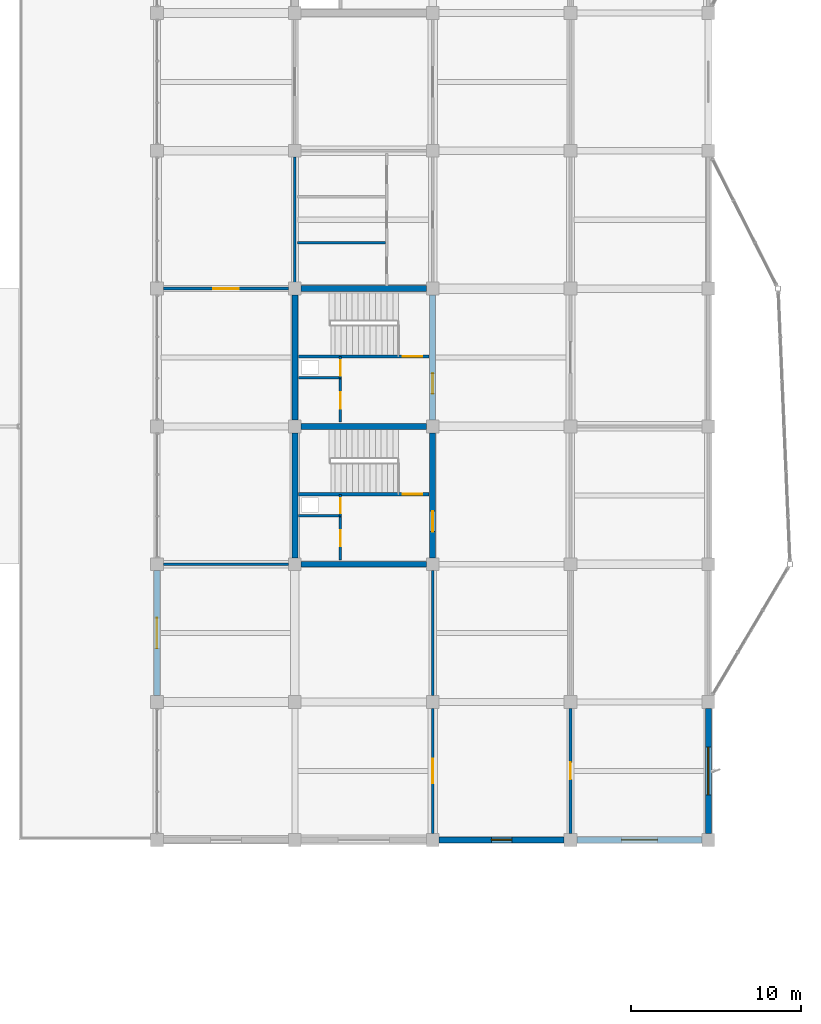
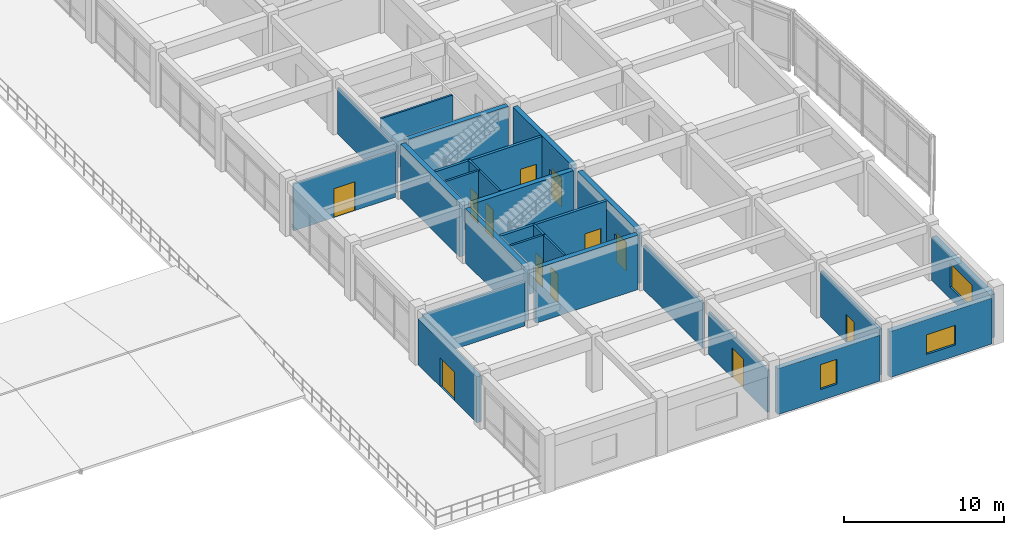
# One storey, part 51 of 70: 26 walls, 12 doors, 3 windows, 15 openings.
"""IFC4 building model written with IfcOpenShell, lengths in metres."""

from ifc_helpers import new_model, si_unit, direction, frame, frame_2d, origin, place, context, subcontext, project, spatial, rectangle, extrude, material, layer, layer_set, type_object, element, fill, save


model = new_model("IFC4")

# Units and contexts
model_context = context("Model", 3, precision=1e-05, world=origin(), true_north=direction((0.0, 1.0)))
body_context = subcontext(model_context, "Body", "Model", "MODEL_VIEW")
ifc_project = project(units=[si_unit("LENGTHUNIT", "METRE"), si_unit("AREAUNIT", "SQUARE_METRE"), si_unit("VOLUMEUNIT", "CUBIC_METRE"), si_unit("PLANEANGLEUNIT", "RADIAN"), si_unit("MASSUNIT", "GRAM", prefix="KILO")], contexts=[model_context])

# Site, building, storey
site_placement = place(None, origin())
site = spatial("IfcSite", under=ifc_project, at=site_placement, CompositionType="ELEMENT")
building_placement = place(site_placement, origin())
building = spatial("IfcBuilding", under=site, at=building_placement, Name="Vaudrelin Polytechnic", CompositionType="ELEMENT")
storey_placement = place(building_placement, frame((0.0, 0.0, 14.110107421875)))
storey = spatial("IfcBuildingStorey", under=building, at=storey_placement, Name="L03", CompositionType="ELEMENT", Elevation=14.110107421875)

# Wall, opening, window
ifc_material_1 = material(Name="Precast concrete 35 MPa with terracotta baguette screen", Category="masonry")
ifc_layer_1 = layer(ifc_material_1, 0.35009765625)
ifc_layer_set_1 = layer_set([ifc_layer_1], Name="Precast concrete 35 MPa with terracotta baguette screen")
wall_type_1 = type_object("IfcWallType", Name="WAL-EW-TERR350", PredefinedType="STANDARD", material=ifc_layer_set_1)
wall_1_placement = place(storey_placement, frame((170.10009765625, 16.572998046875, 0.0), z_axis=(0.0, 0.0, 1.0), x_axis=(0.0, 1.0, 0.0)))
wall_1 = element("IfcWall", 1, at=wall_1_placement, inside=storey, type_object=wall_type_1, Name="Exterior wall L03 E_V4_00", PredefinedType="STANDARD", context=body_context, shape_type="SweptSolid", body=[
    extrude(rectangle(XDim=7.35400390625, YDim=0.35009765625, at=frame_2d((3.677001953125, 0.0))), origin(), (0.0, 0.0, 1.0), 3.31201171875),
])
opening_1_placement = place(wall_1_placement, frame((2.277099609375, 0.0, 0.85009765625)))
opening_1 = element("IfcOpeningElement", 2, at=opening_1_placement, cuts=wall_1, Name="Opening W-L03-E-V4-01", PredefinedType="OPENING", context=body_context, shape_type="SweptSolid", body=[
    extrude(rectangle(XDim=2.800048828125, YDim=1.85009765625, at=frame_2d((1.39990234375, 0.925048828125))), frame((0.0, 0.18505859375, 0.0), z_axis=(0.0, -1.0, 0.0), x_axis=(1.0, 0.0, 0.0)), (0.0, 0.0, 1.0), 0.3701171875),
])
ifc_material_2 = material(Name="Thermally broken aluminium frame with triple low-e glazing", Category="aluminium")
window_type_1 = type_object("IfcWindowType", Name="WIN-WN-48", PartitioningType="SINGLE_PANEL", PredefinedType="WINDOW", material=ifc_material_2)
window_1_placement = place(opening_1_placement, origin())
window_1 = element("IfcWindow", 3, at=window_1_placement, inside=storey, type_object=window_type_1, Name="Facade window L03-E_V4_00", OverallHeight=1.85009765625, OverallWidth=2.800048828125, PartitioningType="SINGLE_PANEL", PredefinedType="WINDOW", context=body_context, shape_type="SweptSolid", body=[
    extrude(rectangle(XDim=2.800048828125, YDim=1.85009765625, at=frame_2d((1.39990234375, 0.925048828125))), frame((0.0, 0.030029296875, 0.0), z_axis=(0.0, -1.0, 0.0), x_axis=(1.0, 0.0, 0.0)), (0.0, 0.0, 1.0), 0.06005859375),
])
fill(opening_1, window_1)

wall_2_placement = place(storey_placement, frame((154.27294921875, 16.199951171875, 0.0), z_axis=(0.0, 0.0, 1.0), x_axis=(1.0, 0.0, 0.0)))
wall_2 = element("IfcWall", 4, at=wall_2_placement, inside=storey, type_object=wall_type_1, Name="Exterior wall L03 S_V4_02", PredefinedType="STANDARD", context=body_context, shape_type="SweptSolid", body=[
    extrude(rectangle(XDim=7.35400390625, YDim=0.35009765625, at=frame_2d((3.677001953125, 0.0))), origin(), (0.0, 0.0, 1.0), 3.511962890625),
])
opening_2_placement = place(wall_2_placement, frame((3.076904296875, 0.0, 0.85009765625)))
opening_2 = element("IfcOpeningElement", 5, at=opening_2_placement, cuts=wall_2, Name="Opening W-L03-S-V4-03", PredefinedType="OPENING", context=body_context, shape_type="SweptSolid", body=[
    extrude(rectangle(XDim=1.199951171875, YDim=1.89990234375, at=frame_2d((0.60009765625, 0.949951171875))), frame((0.0, 0.18505859375, 0.0), z_axis=(0.0, -1.0, 0.0), x_axis=(1.0, 0.0, 0.0)), (0.0, 0.0, 1.0), 0.3701171875),
])
window_type_2 = type_object("IfcWindowType", Name="WIN-WN-04", PartitioningType="SINGLE_PANEL", PredefinedType="WINDOW", material=ifc_material_2)
window_2_placement = place(opening_2_placement, origin())
window_2 = element("IfcWindow", 6, at=window_2_placement, inside=storey, type_object=window_type_2, Name="Facade window L03-S_V4_02", OverallHeight=1.89990234375, OverallWidth=1.199951171875, PartitioningType="SINGLE_PANEL", PredefinedType="WINDOW", context=body_context, shape_type="SweptSolid", body=[
    extrude(rectangle(XDim=1.199951171875, YDim=1.89990234375, at=frame_2d((0.60009765625, 0.949951171875))), frame((0.0, 0.030029296875, 0.0), z_axis=(0.0, -1.0, 0.0), x_axis=(1.0, 0.0, 0.0)), (0.0, 0.0, 1.0), 0.06005859375),
])
fill(opening_2, window_2)

wall_3_placement = place(storey_placement, frame((162.373046875, 16.199951171875, 0.0), z_axis=(0.0, 0.0, 1.0), x_axis=(1.0, 0.0, 0.0)))
wall_3 = element("IfcWall", 7, at=wall_3_placement, inside=storey, type_object=wall_type_1, Name="Exterior wall L03 S_V4_03", PredefinedType="STANDARD", context=body_context, shape_type="SweptSolid", body=[
    extrude(rectangle(XDim=7.35400390625, YDim=0.35009765625, at=frame_2d((3.677001953125, 0.0))), origin(), (0.0, 0.0, 1.0), 3.511962890625),
])
opening_3_placement = place(wall_3_placement, frame((2.626953125, 0.0, 0.85009765625)))
opening_3 = element("IfcOpeningElement", 8, at=opening_3_placement, cuts=wall_3, Name="Opening W-L03-S-V4-04", PredefinedType="OPENING", context=body_context, shape_type="SweptSolid", body=[
    extrude(rectangle(XDim=2.10009765625, YDim=1.5, at=frame_2d((1.050048828125, 0.75))), frame((0.0, 0.18505859375, 0.0), z_axis=(0.0, -1.0, 0.0), x_axis=(1.0, 0.0, 0.0)), (0.0, 0.0, 1.0), 0.3701171875),
])
window_type_3 = type_object("IfcWindowType", Name="WIN-WN-05", PartitioningType="SINGLE_PANEL", PredefinedType="WINDOW", material=ifc_material_2)
window_3_placement = place(opening_3_placement, origin())
window_3 = element("IfcWindow", 9, at=window_3_placement, inside=storey, type_object=window_type_3, Name="Facade window L03-S_V4_03", OverallHeight=1.5, OverallWidth=2.10009765625, PartitioningType="SINGLE_PANEL", PredefinedType="WINDOW", context=body_context, shape_type="SweptSolid", body=[
    extrude(rectangle(XDim=2.10009765625, YDim=1.5, at=frame_2d((1.050048828125, 0.75))), frame((0.0, 0.030029296875, 0.0), z_axis=(0.0, -1.0, 0.0), x_axis=(1.0, 0.0, 0.0)), (0.0, 0.0, 1.0), 0.06005859375),
])
fill(opening_3, window_3)

# Wall, opening, door
ifc_material_3 = material(Name="Precast concrete 35 MPa with standing-seam zinc rainscreen", Category="concrete")
ifc_layer_2 = layer(ifc_material_3, 0.360107421875)
ifc_layer_set_2 = layer_set([ifc_layer_2], Name="Precast concrete 35 MPa with standing-seam zinc rainscreen")
wall_type_2 = type_object("IfcWallType", Name="WAL-EW-ZINC360", PredefinedType="STANDARD", material=ifc_layer_set_2)
wall_4_placement = place(storey_placement, frame((137.699951171875, 24.673095703125, 0.0), z_axis=(0.0, 0.0, 1.0), x_axis=(0.0, 1.0, 0.0)))
wall_4 = element("IfcWall", 10, at=wall_4_placement, inside=storey, type_object=wall_type_2, Name="Exterior wall L03 W_V4_01", PredefinedType="STANDARD", context=body_context, shape_type="SweptSolid", body=[
    extrude(rectangle(XDim=7.35400390625, YDim=0.360107421875, at=frame_2d((3.677001953125, 0.0))), origin(), (0.0, 0.0, 1.0), 3.511962890625),
])
opening_4_placement = place(wall_4_placement, frame((2.777099609375, 0.0, 0.0)))
opening_4 = element("IfcOpeningElement", 11, at=opening_4_placement, cuts=wall_4, Name="Opening TD-03-01", PredefinedType="OPENING", context=body_context, shape_type="SweptSolid", body=[
    extrude(rectangle(XDim=1.800048828125, YDim=2.199951171875, at=frame_2d((0.89990234375, 1.10009765625))), frame((0.0, 0.18994140625, 0.0), z_axis=(0.0, -1.0, 0.0), x_axis=(1.0, 0.0, 0.0)), (0.0, 0.0, 1.0), 0.380126953125),
])
ifc_material_4 = material(Name="Thermally broken anodised aluminium AA 6063-T6", Category="aluminium")
door_type_1 = type_object("IfcDoorType", Name="DOR-ED-03", OperationType="DOUBLE_SWING_LEFT", PredefinedType="DOOR", material=ifc_material_4)
door_1_placement = place(opening_4_placement, origin())
door_1 = element("IfcDoor", 12, at=door_1_placement, inside=storey, type_object=door_type_1, Name="Exterior exit door TD-03-01", OperationType="DOUBLE_SWING_LEFT", OverallHeight=2.199951171875, OverallWidth=1.800048828125, PredefinedType="DOOR", context=body_context, shape_type="SweptSolid", body=[
    extrude(rectangle(XDim=1.800048828125, YDim=2.199951171875, at=frame_2d((0.89990234375, 1.10009765625))), frame((0.0, 0.02490234375, 0.0), z_axis=(0.0, -1.0, 0.0), x_axis=(1.0, 0.0, 0.0)), (0.0, 0.0, 1.0), 0.050048828125),
])
fill(opening_4, door_1)

ifc_material_5 = material(Name="Acoustic double-stud gypsum & mineral-wool partition", Category="gypsum")
ifc_layer_3 = layer(ifc_material_5, 0.179931640625)
ifc_layer_set_3 = layer_set([ifc_layer_3], Name="Acoustic double-stud gypsum & mineral-wool partition")
wall_type_3 = type_object("IfcWallType", Name="WAL-PW-AC180", PredefinedType="PARTITIONING", material=ifc_layer_set_3)
wall_5_placement = place(storey_placement, frame((162.0, 16.572998046875, 0.0), z_axis=(0.0, 0.0, 1.0), x_axis=(0.0, 1.0, 0.0)))
wall_5 = element("IfcWall", 13, at=wall_5_placement, inside=storey, type_object=wall_type_3, Name="Partition L03-015 W", PredefinedType="PARTITIONING", context=body_context, shape_type="SweptSolid", body=[
    extrude(rectangle(XDim=7.35400390625, YDim=0.179931640625, at=frame_2d((3.677001953125, 0.0))), origin(), (0.0, 0.0, 1.0), 3.511962890625),
])
opening_5_placement = place(wall_5_placement, frame((3.177001953125, 0.0, 0.0)))
opening_5 = element("IfcOpeningElement", 14, at=opening_5_placement, cuts=wall_5, Name="Opening D-L03-507", PredefinedType="OPENING", context=body_context, shape_type="SweptSolid", body=[
    extrude(rectangle(XDim=1.0, YDim=2.14990234375, at=frame_2d((0.5, 1.074951171875))), frame((0.0, 0.10009765625, 0.0), z_axis=(0.0, -1.0, 0.0), x_axis=(1.0, 0.0, 0.0)), (0.0, 0.0, 1.0), 0.199951171875),
])
ifc_material_6 = material(Name="Solid-core birch veneer acoustic leaf", Category="wood")
door_type_2 = type_object("IfcDoorType", Name="DOR-ID-SEM1", OperationType="NOTDEFINED", PredefinedType="DOOR", material=ifc_material_6)
door_2_placement = place(opening_5_placement, origin())
door_2 = element("IfcDoor", 15, at=door_2_placement, inside=storey, type_object=door_type_2, Name="Seminar Room 301 door L03-015", OperationType="SINGLE_SWING_LEFT", OverallHeight=2.14990234375, OverallWidth=1.0, PredefinedType="DOOR", context=body_context, shape_type="SweptSolid", body=[
    extrude(rectangle(XDim=1.0, YDim=2.14990234375, at=frame_2d((0.5, 1.074951171875))), frame((0.0, 0.02490234375, 0.0), z_axis=(0.0, -1.0, 0.0), x_axis=(1.0, 0.0, 0.0)), (0.0, 0.0, 1.0), 0.050048828125),
])
fill(opening_5, door_2)

ifc_material_7 = material(Name="Fire-rated steel-stud gypsum compartment wall", Category="steel")
ifc_layer_4 = layer(ifc_material_7, 0.14990234375)
ifc_layer_set_4 = layer_set([ifc_layer_4], Name="Fire-rated steel-stud gypsum compartment wall")
wall_type_4 = type_object("IfcWallType", Name="WAL-PW-FIRE60", PredefinedType="PARTITIONING", material=ifc_layer_set_4)
wall_6_placement = place(storey_placement, frame((148.47998046875, 35.25, 0.0), z_axis=(0.0, 0.0, 1.0), x_axis=(0.0, 1.0, 0.0)))
wall_6 = element("IfcWall", 16, at=wall_6_placement, inside=storey, type_object=wall_type_4, Name="Core C8 riser enclosure wall L03", PredefinedType="PARTITIONING", context=body_context, shape_type="SweptSolid", body=[
    extrude(rectangle(XDim=1.260009765625, YDim=0.14990234375, at=frame_2d((0.6298828125, 0.0))), origin(), (0.0, 0.0, 1.0), 4.161865234375),
])
opening_6_placement = place(wall_6_placement, frame((0.139892578125, 0.0, 0.0)))
opening_6 = element("IfcOpeningElement", 17, at=opening_6_placement, cuts=wall_6, Name="Opening D-L03-156", PredefinedType="OPENING", context=body_context, shape_type="SweptSolid", body=[
    extrude(rectangle(XDim=0.89990234375, YDim=2.14990234375, at=frame_2d((0.449951171875, 1.074951171875))), frame((0.0, 0.0849609375, 0.0), z_axis=(0.0, -1.0, 0.0), x_axis=(1.0, 0.0, 0.0)), (0.0, 0.0, 1.0), 0.169921875),
])
ifc_material_8 = material(Name="Pressed galvanised steel acoustic leaf", Category="steel")
door_type_3 = type_object("IfcDoorType", Name="DOR-ID-RSR1", OperationType="NOTDEFINED", PredefinedType="DOOR", material=ifc_material_8)
door_3_placement = place(opening_6_placement, origin())
door_3 = element("IfcDoor", 18, at=door_3_placement, inside=storey, type_object=door_type_3, Name="Core C8 riser access door L03", OperationType="SINGLE_SWING_RIGHT", OverallHeight=2.14990234375, OverallWidth=0.89990234375, PredefinedType="DOOR", context=body_context, shape_type="SweptSolid", body=[
    extrude(rectangle(XDim=0.89990234375, YDim=2.14990234375, at=frame_2d((0.449951171875, 1.074951171875))), frame((0.0, 0.02490234375, 0.0), z_axis=(0.0, -1.0, 0.0), x_axis=(1.0, 0.0, 0.0)), (0.0, 0.0, 1.0), 0.050048828125),
])
fill(opening_6, door_3)

# Wall
wall_7_placement = place(storey_placement, frame((146.02001953125, 35.25, 0.0), z_axis=(0.0, 0.0, 1.0), x_axis=(1.0, 0.0, 0.0)))
element("IfcWall", 19, at=wall_7_placement, inside=storey, type_object=wall_type_4, Name="Core C8 riser south fire wall L03", PredefinedType="PARTITIONING", context=body_context, shape_type="SweptSolid", body=[
    extrude(rectangle(XDim=2.530029296875, YDim=0.14990234375, at=frame_2d((1.26513671875, 0.0))), origin(), (0.0, 0.0, 1.0), 4.161865234375),
])

# Wall, opening, door
wall_8_placement = place(storey_placement, frame((148.47998046875, 32.64990234375, 0.0), z_axis=(0.0, 0.0, 1.0), x_axis=(0.0, 1.0, 0.0)))
wall_8 = element("IfcWall", 20, at=wall_8_placement, inside=storey, type_object=wall_type_4, Name="Core C8 custodial enclosure wall L03", PredefinedType="PARTITIONING", context=body_context, shape_type="SweptSolid", body=[
    extrude(rectangle(XDim=2.60009765625, YDim=0.14990234375, at=frame_2d((1.300048828125, 0.0))), origin(), (0.0, 0.0, 1.0), 4.161865234375),
])
opening_7_placement = place(wall_8_placement, frame((0.800048828125, 0.0, 0.0)))
opening_7 = element("IfcOpeningElement", 21, at=opening_7_placement, cuts=wall_8, Name="Opening D-L03-157", PredefinedType="OPENING", context=body_context, shape_type="SweptSolid", body=[
    extrude(rectangle(XDim=0.949951171875, YDim=2.14990234375, at=frame_2d((0.47509765625, 1.074951171875))), frame((0.0, 0.0849609375, 0.0), z_axis=(0.0, -1.0, 0.0), x_axis=(1.0, 0.0, 0.0)), (0.0, 0.0, 1.0), 0.169921875),
])
door_type_4 = type_object("IfcDoorType", Name="DOR-ID-STR1", OperationType="NOTDEFINED", PredefinedType="DOOR", material=ifc_material_8)
door_4_placement = place(opening_7_placement, origin())
door_4 = element("IfcDoor", 22, at=door_4_placement, inside=storey, type_object=door_type_4, Name="Core C8 custodial door L03", OperationType="SINGLE_SWING_RIGHT", OverallHeight=2.14990234375, OverallWidth=0.949951171875, PredefinedType="DOOR", context=body_context, shape_type="SweptSolid", body=[
    extrude(rectangle(XDim=0.949951171875, YDim=2.14990234375, at=frame_2d((0.47509765625, 1.074951171875))), frame((0.0, 0.02490234375, 0.0), z_axis=(0.0, -1.0, 0.0), x_axis=(1.0, 0.0, 0.0)), (0.0, 0.0, 1.0), 0.050048828125),
])
fill(opening_7, door_4)

wall_9_placement = place(storey_placement, frame((148.47998046875, 43.35009765625, 0.0), z_axis=(0.0, 0.0, 1.0), x_axis=(0.0, 1.0, 0.0)))
wall_9 = element("IfcWall", 23, at=wall_9_placement, inside=storey, type_object=wall_type_4, Name="Core C12 riser enclosure wall L03", PredefinedType="PARTITIONING", context=body_context, shape_type="SweptSolid", body=[
    extrude(rectangle(XDim=1.260009765625, YDim=0.14990234375, at=frame_2d((0.6298828125, 0.0))), origin(), (0.0, 0.0, 1.0), 4.161865234375),
])
opening_8_placement = place(wall_9_placement, frame((0.139892578125, 0.0, 0.0)))
opening_8 = element("IfcOpeningElement", 24, at=opening_8_placement, cuts=wall_9, Name="Opening D-L03-279", PredefinedType="OPENING", context=body_context, shape_type="SweptSolid", body=[
    extrude(rectangle(XDim=0.89990234375, YDim=2.14990234375, at=frame_2d((0.449951171875, 1.074951171875))), frame((0.0, 0.0849609375, 0.0), z_axis=(0.0, -1.0, 0.0), x_axis=(1.0, 0.0, 0.0)), (0.0, 0.0, 1.0), 0.169921875),
])
door_5_placement = place(opening_8_placement, origin())
door_5 = element("IfcDoor", 25, at=door_5_placement, inside=storey, type_object=door_type_3, Name="Core C12 riser access door L03", OperationType="SINGLE_SWING_RIGHT", OverallHeight=2.14990234375, OverallWidth=0.89990234375, PredefinedType="DOOR", context=body_context, shape_type="SweptSolid", body=[
    extrude(rectangle(XDim=0.89990234375, YDim=2.14990234375, at=frame_2d((0.449951171875, 1.074951171875))), frame((0.0, 0.02490234375, 0.0), z_axis=(0.0, -1.0, 0.0), x_axis=(1.0, 0.0, 0.0)), (0.0, 0.0, 1.0), 0.050048828125),
])
fill(opening_8, door_5)

# Wall
wall_10_placement = place(storey_placement, frame((146.02001953125, 43.35009765625, 0.0), z_axis=(0.0, 0.0, 1.0), x_axis=(1.0, 0.0, 0.0)))
element("IfcWall", 26, at=wall_10_placement, inside=storey, type_object=wall_type_4, Name="Core C12 riser south fire wall L03", PredefinedType="PARTITIONING", context=body_context, shape_type="SweptSolid", body=[
    extrude(rectangle(XDim=2.530029296875, YDim=0.14990234375, at=frame_2d((1.26513671875, 0.0))), origin(), (0.0, 0.0, 1.0), 4.161865234375),
])

# Wall, opening, door
wall_11_placement = place(storey_placement, frame((148.47998046875, 40.75, 0.0), z_axis=(0.0, 0.0, 1.0), x_axis=(0.0, 1.0, 0.0)))
wall_11 = element("IfcWall", 27, at=wall_11_placement, inside=storey, type_object=wall_type_4, Name="Core C12 custodial enclosure wall L03", PredefinedType="PARTITIONING", context=body_context, shape_type="SweptSolid", body=[
    extrude(rectangle(XDim=2.60009765625, YDim=0.14990234375, at=frame_2d((1.300048828125, 0.0))), origin(), (0.0, 0.0, 1.0), 4.161865234375),
])
opening_9_placement = place(wall_11_placement, frame((0.800048828125, 0.0, 0.0)))
opening_9 = element("IfcOpeningElement", 28, at=opening_9_placement, cuts=wall_11, Name="Opening D-L03-280", PredefinedType="OPENING", context=body_context, shape_type="SweptSolid", body=[
    extrude(rectangle(XDim=0.949951171875, YDim=2.14990234375, at=frame_2d((0.47509765625, 1.074951171875))), frame((0.0, 0.0849609375, 0.0), z_axis=(0.0, -1.0, 0.0), x_axis=(1.0, 0.0, 0.0)), (0.0, 0.0, 1.0), 0.169921875),
])
door_6_placement = place(opening_9_placement, origin())
door_6 = element("IfcDoor", 29, at=door_6_placement, inside=storey, type_object=door_type_4, Name="Core C12 custodial door L03", OperationType="SINGLE_SWING_RIGHT", OverallHeight=2.14990234375, OverallWidth=0.949951171875, PredefinedType="DOOR", context=body_context, shape_type="SweptSolid", body=[
    extrude(rectangle(XDim=0.949951171875, YDim=2.14990234375, at=frame_2d((0.47509765625, 1.074951171875))), frame((0.0, 0.02490234375, 0.0), z_axis=(0.0, -1.0, 0.0), x_axis=(1.0, 0.0, 0.0)), (0.0, 0.0, 1.0), 0.050048828125),
])
fill(opening_9, door_6)

ifc_material_9 = material(Name="Moisture- and chemical-resistant laboratory partition", Category="gypsum")
ifc_layer_5 = layer(ifc_material_9, 0.159912109375)
ifc_layer_set_5 = layer_set([ifc_layer_5], Name="Moisture- and chemical-resistant laboratory partition")
wall_type_5 = type_object("IfcWallType", Name="WAL-PW-LAB160", PredefinedType="PARTITIONING", material=ifc_layer_set_5)
wall_12_placement = place(storey_placement, frame((153.89990234375, 16.572998046875, 0.0), z_axis=(0.0, 0.0, 1.0), x_axis=(0.0, 1.0, 0.0)))
wall_12 = element("IfcWall", 30, at=wall_12_placement, inside=storey, type_object=wall_type_5, Name="Partition L03-008 E", PredefinedType="PARTITIONING", context=body_context, shape_type="SweptSolid", body=[
    extrude(rectangle(XDim=7.35400390625, YDim=0.159912109375, at=frame_2d((3.677001953125, 0.0))), origin(), (0.0, 0.0, 1.0), 3.2119140625),
])
opening_10_placement = place(wall_12_placement, frame((2.967041015625, 0.0, 0.0)))
opening_10 = element("IfcOpeningElement", 31, at=opening_10_placement, cuts=wall_12, Name="Opening D-L03-501", PredefinedType="OPENING", context=body_context, shape_type="SweptSolid", body=[
    extrude(rectangle(XDim=1.419921875, YDim=2.25, at=frame_2d((0.7099609375, 1.125))), frame((0.0, 0.08984375, 0.0), z_axis=(0.0, -1.0, 0.0), x_axis=(1.0, 0.0, 0.0)), (0.0, 0.0, 1.0), 0.179931640625),
])
door_type_5 = type_object("IfcDoorType", Name="DOR-ID-LAB4", OperationType="NOTDEFINED", PredefinedType="DOOR", material=ifc_material_8)
door_7_placement = place(opening_10_placement, origin())
door_7 = element("IfcDoor", 32, at=door_7_placement, inside=storey, type_object=door_type_5, Name="Microelectronics Teaching Laboratory door L03-008", OperationType="DOUBLE_SWING_LEFT", OverallHeight=2.25, OverallWidth=1.419921875, PredefinedType="DOOR", context=body_context, shape_type="SweptSolid", body=[
    extrude(rectangle(XDim=1.419921875, YDim=2.25, at=frame_2d((0.7099609375, 1.125))), frame((0.0, 0.02490234375, 0.0), z_axis=(0.0, -1.0, 0.0), x_axis=(1.0, 0.0, 0.0)), (0.0, 0.0, 1.0), 0.050048828125),
])
fill(opening_10, door_7)

# Walls
for number, where, z_axis, x_axis, name in (
    (33, (153.89990234375, 24.673095703125, 0.0), (0.0, 0.0, 1.0), (0.0, 1.0, 0.0), "Partition L03-008 E"),
    (34, (138.072998046875, 32.39990234375, 0.0), (0.0, 0.0, 1.0), (1.0, 0.0, 0.0), "Partition L03-008 N"),
):
    element("IfcWall", number, at=place(storey_placement, frame(where, z_axis=z_axis, x_axis=x_axis)), inside=storey, type_object=wall_type_5, Name=name, PredefinedType="PARTITIONING", context=body_context, shape_type="SweptSolid", body=[
        extrude(rectangle(XDim=7.35400390625, YDim=0.159912109375, at=frame_2d((3.677001953125, 0.0))), origin(), (0.0, 0.0, 1.0), 3.411865234375),
    ])

# Wall, opening, door
wall_13_placement = place(storey_placement, frame((138.072998046875, 48.60009765625, 0.0), z_axis=(0.0, 0.0, 1.0), x_axis=(1.0, 0.0, 0.0)))
wall_13 = element("IfcWall", 35, at=wall_13_placement, inside=storey, type_object=wall_type_5, Name="Partition L03-009 N", PredefinedType="PARTITIONING", context=body_context, shape_type="SweptSolid", body=[
    extrude(rectangle(XDim=7.35400390625, YDim=0.159912109375, at=frame_2d((3.677001953125, 0.0))), origin(), (0.0, 0.0, 1.0), 3.56201171875),
])
opening_11_placement = place(wall_13_placement, frame((2.927001953125, 0.0, 0.0)))
opening_11 = element("IfcOpeningElement", 36, at=opening_11_placement, cuts=wall_13, Name="Opening D-L03-502", PredefinedType="OPENING", context=body_context, shape_type="SweptSolid", body=[
    extrude(rectangle(XDim=1.5, YDim=2.199951171875, at=frame_2d((0.75, 1.10009765625))), frame((0.0, 0.08984375, 0.0), z_axis=(0.0, -1.0, 0.0), x_axis=(1.0, 0.0, 0.0)), (0.0, 0.0, 1.0), 0.179931640625),
])
door_type_6 = type_object("IfcDoorType", Name="DOR-ID-LAB1", OperationType="NOTDEFINED", PredefinedType="DOOR", material=ifc_material_8)
door_8_placement = place(opening_11_placement, origin())
door_8 = element("IfcDoor", 37, at=door_8_placement, inside=storey, type_object=door_type_6, Name="VLSI Bench Laboratory door L03-009", OperationType="DOUBLE_SWING_LEFT", OverallHeight=2.199951171875, OverallWidth=1.5, PredefinedType="DOOR", context=body_context, shape_type="SweptSolid", body=[
    extrude(rectangle(XDim=1.5, YDim=2.199951171875, at=frame_2d((0.75, 1.10009765625))), frame((0.0, 0.02490234375, 0.0), z_axis=(0.0, -1.0, 0.0), x_axis=(1.0, 0.0, 0.0)), (0.0, 0.0, 1.0), 0.050048828125),
])
fill(opening_11, door_8)

# Walls
ifc_material_10 = material(Name="Cement-board tiled wet-wall washroom partition", Category="gypsum")
ifc_layer_6 = layer(ifc_material_10, 0.139892578125)
ifc_layer_set_6 = layer_set([ifc_layer_6], Name="Cement-board tiled wet-wall washroom partition")
wall_type_6 = type_object("IfcWallType", Name="WAL-PW-WC140", PredefinedType="PARTITIONING", material=ifc_layer_set_6)
wall_14_placement = place(storey_placement, frame((145.800048828125, 48.972900390625, 0.0), z_axis=(0.0, 0.0, 1.0), x_axis=(0.0, 1.0, 0.0)))
element("IfcWall", 38, at=wall_14_placement, inside=storey, type_object=wall_type_6, Name="Washroom enclosure wall L03-18-6-W", PredefinedType="PARTITIONING", context=body_context, shape_type="SweptSolid", body=[
    extrude(rectangle(XDim=7.35400390625, YDim=0.139892578125, at=frame_2d((3.677001953125, 0.0))), origin(), (0.0, 0.0, 1.0), 3.510009765625),
])
wall_15_placement = place(storey_placement, frame((145.949951171875, 51.300048828125, 0.0), z_axis=(0.0, 0.0, 1.0), x_axis=(1.0, 0.0, 0.0)))
element("IfcWall", 39, at=wall_15_placement, inside=storey, type_object=wall_type_6, Name="Washroom separation wall L03-18-6-1", PredefinedType="PARTITIONING", context=body_context, shape_type="SweptSolid", body=[
    extrude(rectangle(XDim=5.179931640625, YDim=0.139892578125, at=frame_2d((2.58984375, 0.0))), origin(), (0.0, 0.0, 1.0), 4.161865234375),
])

# Wall, opening, door
ifc_material_11 = material(Name="Concrete 40 MPa", Category="concrete")
ifc_layer_7 = layer(ifc_material_11, 0.199951171875)
ifc_layer_set_7 = layer_set([ifc_layer_7], Name="Concrete 40 MPa")
wall_type_7 = type_object("IfcWallType", Name="WAL-SW-CORE200", PredefinedType="SHEAR", material=ifc_layer_set_7)
wall_16_placement = place(storey_placement, frame((146.02001953125, 36.510009765625, 0.0), z_axis=(0.0, 0.0, 1.0), x_axis=(1.0, 0.0, 0.0)))
wall_16 = element("IfcWall", 40, at=wall_16_placement, inside=storey, type_object=wall_type_7, Name="Core C8 stair enclosure wall L03", PredefinedType="SHEAR", context=body_context, shape_type="SweptSolid", body=[
    extrude(rectangle(XDim=7.659912109375, YDim=0.199951171875, at=frame_2d((3.830078125, 0.0))), origin(), (0.0, 0.0, 1.0), 4.161865234375),
])
opening_12_placement = place(wall_16_placement, frame((6.110107421875, 0.0, 0.0)))
opening_12 = element("IfcOpeningElement", 41, at=opening_12_placement, cuts=wall_16, Name="Opening D-L03-155", PredefinedType="OPENING", context=body_context, shape_type="SweptSolid", body=[
    extrude(rectangle(XDim=1.14990234375, YDim=2.199951171875, at=frame_2d((0.574951171875, 1.10009765625))), frame((0.0, 0.10986328125, 0.0), z_axis=(0.0, -1.0, 0.0), x_axis=(1.0, 0.0, 0.0)), (0.0, 0.0, 1.0), 0.219970703125),
])
door_type_7 = type_object("IfcDoorType", Name="DOR-ID-ST1", OperationType="NOTDEFINED", PredefinedType="DOOR", material=ifc_material_8)
door_9_placement = place(opening_12_placement, origin())
door_9 = element("IfcDoor", 42, at=door_9_placement, inside=storey, type_object=door_type_7, Name="Core C8 exit stair door L03", OperationType="SINGLE_SWING_LEFT", OverallHeight=2.199951171875, OverallWidth=1.14990234375, PredefinedType="DOOR", context=body_context, shape_type="SweptSolid", body=[
    extrude(rectangle(XDim=1.14990234375, YDim=2.199951171875, at=frame_2d((0.574951171875, 1.10009765625))), frame((0.0, 0.02490234375, 0.0), z_axis=(0.0, -1.0, 0.0), x_axis=(1.0, 0.0, 0.0)), (0.0, 0.0, 1.0), 0.050048828125),
])
fill(opening_12, door_9)

wall_17_placement = place(storey_placement, frame((146.02001953125, 44.610107421875, 0.0), z_axis=(0.0, 0.0, 1.0), x_axis=(1.0, 0.0, 0.0)))
wall_17 = element("IfcWall", 43, at=wall_17_placement, inside=storey, type_object=wall_type_7, Name="Core C12 stair enclosure wall L03", PredefinedType="SHEAR", context=body_context, shape_type="SweptSolid", body=[
    extrude(rectangle(XDim=7.659912109375, YDim=0.199951171875, at=frame_2d((3.830078125, 0.0))), origin(), (0.0, 0.0, 1.0), 4.161865234375),
])
opening_13_placement = place(wall_17_placement, frame((6.110107421875, 0.0, 0.0)))
opening_13 = element("IfcOpeningElement", 44, at=opening_13_placement, cuts=wall_17, Name="Opening D-L03-278", PredefinedType="OPENING", context=body_context, shape_type="SweptSolid", body=[
    extrude(rectangle(XDim=1.14990234375, YDim=2.199951171875, at=frame_2d((0.574951171875, 1.10009765625))), frame((0.0, 0.10986328125, 0.0), z_axis=(0.0, -1.0, 0.0), x_axis=(1.0, 0.0, 0.0)), (0.0, 0.0, 1.0), 0.219970703125),
])
door_10_placement = place(opening_13_placement, origin())
door_10 = element("IfcDoor", 45, at=door_10_placement, inside=storey, type_object=door_type_7, Name="Core C12 exit stair door L03", OperationType="SINGLE_SWING_LEFT", OverallHeight=2.199951171875, OverallWidth=1.14990234375, PredefinedType="DOOR", context=body_context, shape_type="SweptSolid", body=[
    extrude(rectangle(XDim=1.14990234375, YDim=2.199951171875, at=frame_2d((0.574951171875, 1.10009765625))), frame((0.0, 0.02490234375, 0.0), z_axis=(0.0, -1.0, 0.0), x_axis=(1.0, 0.0, 0.0)), (0.0, 0.0, 1.0), 0.050048828125),
])
fill(opening_13, door_10)

# Walls
ifc_material_12 = material(Name="Concrete 50 MPa", Category="concrete")
ifc_layer_8 = layer(ifc_material_12, 0.35009765625)
ifc_layer_set_8 = layer_set([ifc_layer_8], Name="Concrete 50 MPa")
wall_type_8 = type_object("IfcWallType", Name="WAL-SW-CORE350", PredefinedType="SHEAR", material=ifc_layer_set_8)
for number, where, z_axis, x_axis, name in (
    (46, (146.173095703125, 40.5, 0.0), (0.0, 0.0, 1.0), (1.0, 0.0, 0.0), "Core C8 N shear wall L03"),
    (47, (145.800048828125, 32.77294921875, 0.0), (0.0, 0.0, 1.0), (0.0, 1.0, 0.0), "Core C8 W shear wall L03"),
):
    element("IfcWall", number, at=place(storey_placement, frame(where, z_axis=z_axis, x_axis=x_axis)), inside=storey, type_object=wall_type_8, Name=name, PredefinedType="SHEAR", context=body_context, shape_type="SweptSolid", body=[
        extrude(rectangle(XDim=7.35400390625, YDim=0.35009765625, at=frame_2d((3.677001953125, 0.0))), origin(), (0.0, 0.0, 1.0), 4.161865234375),
    ])

# Wall, opening, door
wall_18_placement = place(storey_placement, frame((153.89990234375, 32.77294921875, 0.0), z_axis=(0.0, 0.0, 1.0), x_axis=(0.0, 1.0, 0.0)))
wall_18 = element("IfcWall", 48, at=wall_18_placement, inside=storey, type_object=wall_type_8, Name="Core C8 E shear wall L03", PredefinedType="SHEAR", context=body_context, shape_type="SweptSolid", body=[
    extrude(rectangle(XDim=7.35400390625, YDim=0.35009765625, at=frame_2d((3.677001953125, 0.0))), origin(), (0.0, 0.0, 1.0), 4.161865234375),
])
opening_14_placement = place(wall_18_placement, frame((1.550048828125, 0.0, 0.0)))
opening_14 = element("IfcOpeningElement", 49, at=opening_14_placement, cuts=wall_18, Name="Opening D-L03-154", PredefinedType="OPENING", context=body_context, shape_type="SweptSolid", body=[
    extrude(rectangle(XDim=1.199951171875, YDim=2.199951171875, at=frame_2d((0.60009765625, 1.10009765625))), frame((0.0, 0.18505859375, 0.0), z_axis=(0.0, -1.0, 0.0), x_axis=(1.0, 0.0, 0.0)), (0.0, 0.0, 1.0), 0.3701171875),
])
door_type_8 = type_object("IfcDoorType", Name="DOR-ID-LB1", OperationType="NOTDEFINED", PredefinedType="DOOR", material=ifc_material_8)
door_11_placement = place(opening_14_placement, origin())
door_11 = element("IfcDoor", 50, at=door_11_placement, inside=storey, type_object=door_type_8, Name="Core C8 lobby fire door L03", OperationType="SINGLE_SWING_RIGHT", OverallHeight=2.199951171875, OverallWidth=1.199951171875, PredefinedType="DOOR", context=body_context, shape_type="SweptSolid", body=[
    extrude(rectangle(XDim=1.199951171875, YDim=2.199951171875, at=frame_2d((0.60009765625, 1.10009765625))), frame((0.0, 0.02490234375, 0.0), z_axis=(0.0, -1.0, 0.0), x_axis=(1.0, 0.0, 0.0)), (0.0, 0.0, 1.0), 0.050048828125),
])
fill(opening_14, door_11)

# Walls
for number, where, z_axis, x_axis, name in (
    (51, (146.173095703125, 32.39990234375, 0.0), (0.0, 0.0, 1.0), (1.0, 0.0, 0.0), "Core C8 S shear wall L03"),
    (52, (146.173095703125, 48.60009765625, 0.0), (0.0, 0.0, 1.0), (1.0, 0.0, 0.0), "Core C12 N shear wall L03"),
    (53, (145.800048828125, 40.873046875, 0.0), (0.0, 0.0, 1.0), (0.0, 1.0, 0.0), "Core C12 W shear wall L03"),
):
    element("IfcWall", number, at=place(storey_placement, frame(where, z_axis=z_axis, x_axis=x_axis)), inside=storey, type_object=wall_type_8, Name=name, PredefinedType="SHEAR", context=body_context, shape_type="SweptSolid", body=[
        extrude(rectangle(XDim=7.35400390625, YDim=0.35009765625, at=frame_2d((3.677001953125, 0.0))), origin(), (0.0, 0.0, 1.0), 4.161865234375),
    ])

# Wall, opening, door
wall_19_placement = place(storey_placement, frame((153.89990234375, 40.873046875, 0.0), z_axis=(0.0, 0.0, 1.0), x_axis=(0.0, 1.0, 0.0)))
wall_19 = element("IfcWall", 54, at=wall_19_placement, inside=storey, type_object=wall_type_8, Name="Core C12 E shear wall L03", PredefinedType="SHEAR", context=body_context, shape_type="SweptSolid", body=[
    extrude(rectangle(XDim=7.35400390625, YDim=0.35009765625, at=frame_2d((3.677001953125, 0.0))), origin(), (0.0, 0.0, 1.0), 4.161865234375),
])
opening_15_placement = place(wall_19_placement, frame((1.550048828125, 0.0, 0.0)))
opening_15 = element("IfcOpeningElement", 55, at=opening_15_placement, cuts=wall_19, Name="Opening D-L03-277", PredefinedType="OPENING", context=body_context, shape_type="SweptSolid", body=[
    extrude(rectangle(XDim=1.199951171875, YDim=2.199951171875, at=frame_2d((0.60009765625, 1.10009765625))), frame((0.0, 0.18505859375, 0.0), z_axis=(0.0, -1.0, 0.0), x_axis=(1.0, 0.0, 0.0)), (0.0, 0.0, 1.0), 0.3701171875),
])
door_12_placement = place(opening_15_placement, origin())
door_12 = element("IfcDoor", 56, at=door_12_placement, inside=storey, type_object=door_type_8, Name="Core C12 lobby fire door L03", OperationType="SINGLE_SWING_LEFT", OverallHeight=2.199951171875, OverallWidth=1.199951171875, PredefinedType="DOOR", context=body_context, shape_type="SweptSolid", body=[
    extrude(rectangle(XDim=1.199951171875, YDim=2.199951171875, at=frame_2d((0.60009765625, 1.10009765625))), frame((0.0, 0.02490234375, 0.0), z_axis=(0.0, -1.0, 0.0), x_axis=(1.0, 0.0, 0.0)), (0.0, 0.0, 1.0), 0.050048828125),
])
fill(opening_15, door_12)

save(model, "model.ifc")
